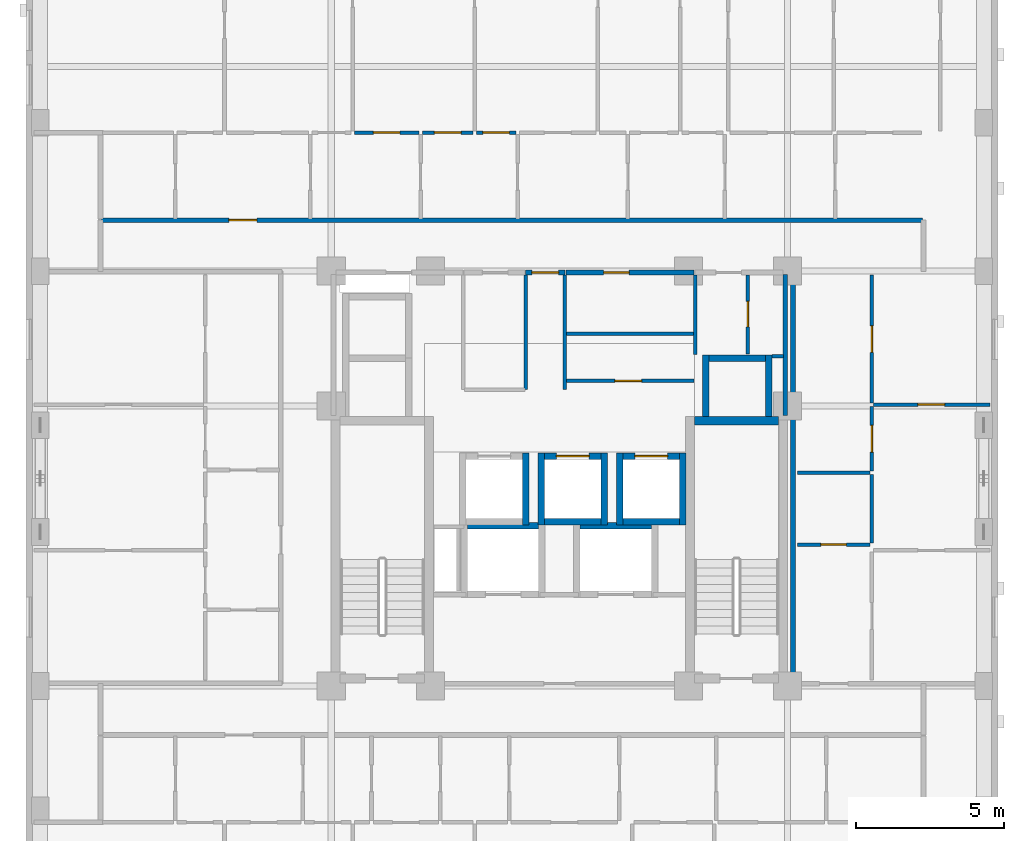
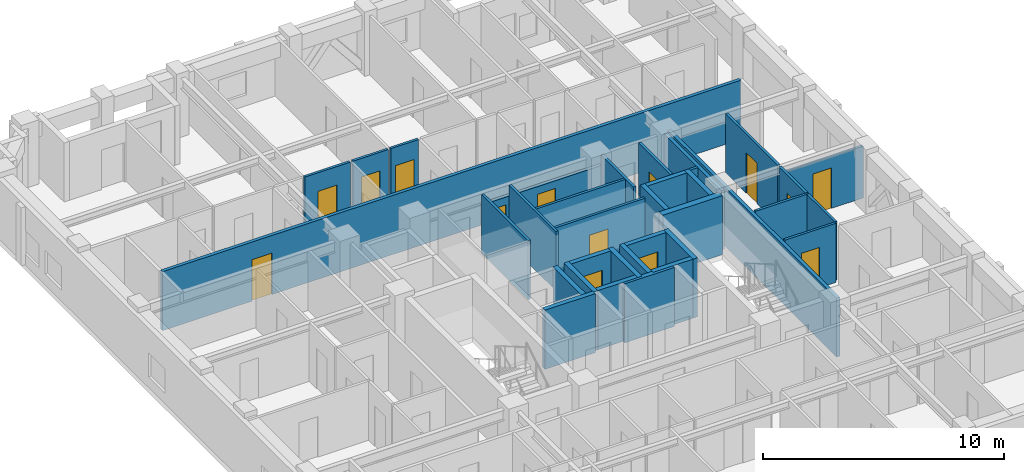
# One storey, part 6 of 11: 36 walls, 14 doors, 14 openings.
"""IFC4 building model written with IfcOpenShell, lengths in metres."""

from ifc_helpers import new_model, si_unit, derived_unit, direction, frame, frame_2d, origin, place, context, subcontext, project, spatial, rectangle, extrude, material, layer, layer_set, type_object, element, fill, save


model = new_model("IFC4")

# Units and contexts
model_context = context("Model", 3, precision=1e-05, world=origin(), true_north=direction((0.0, 1.0)))
body_context = subcontext(model_context, "Body", "Model", "MODEL_VIEW")
ifc_project = project(units=[si_unit("LENGTHUNIT", "METRE"), si_unit("AREAUNIT", "SQUARE_METRE"), si_unit("VOLUMEUNIT", "CUBIC_METRE"), si_unit("PLANEANGLEUNIT", "RADIAN"), si_unit("MASSUNIT", "GRAM", prefix="KILO"), derived_unit("THERMALTRANSMITTANCEUNIT", [(si_unit("MASSUNIT", "GRAM", prefix="KILO"), 1), (si_unit("TIMEUNIT", "SECOND"), -3), (si_unit("THERMODYNAMICTEMPERATUREUNIT", "KELVIN"), -1)])], contexts=[model_context])

# Site, building, storey
site_placement = place(None, origin())
site = spatial("IfcSite", under=ifc_project, at=site_placement, CompositionType="ELEMENT")
building_placement = place(site_placement, origin())
building = spatial("IfcBuilding", under=site, at=building_placement, Name="Korrvale Station Residences", CompositionType="ELEMENT")
storey_placement = place(building_placement, frame((0.0, 0.0, 153.64990234375)))
storey = spatial("IfcBuildingStorey", under=building, at=storey_placement, Name="L44", CompositionType="ELEMENT", Elevation=153.64990234375)

# Walls
ifc_material_1 = material(Name="Concrete C60/75", Category="concrete")
ifc_layer_1 = layer(ifc_material_1, 0.300048828125, Name="Concrete C60/75")
ifc_layer_set_1 = layer_set([ifc_layer_1], Name="Concrete C60/75")
wall_type_1 = type_object("IfcWallType", Name="WAL-CORE-300-C60", PredefinedType="SHEAR", material=ifc_layer_set_1)
wall_1_placement = place(storey_placement, frame((30.050048828125, 23.949951171875, 0.0), z_axis=(0.0, 0.0, 1.0), x_axis=(1.0, 0.0, 0.0)))
element("IfcWall", 1, at=wall_1_placement, inside=storey, type_object=wall_type_1, Name="L44 ST-2 Core Shear Wall North", PredefinedType="SHEAR", context=body_context, shape_type="SweptSolid", body=[
    extrude(rectangle(XDim=2.849853515625, YDim=0.300048828125, at=frame_2d((1.4248046875, 0.0))), origin(), (0.0, 0.0, 1.0), 2.989990234375),
])
ifc_material_2 = material(Name="Acoustic steel-stud gypsum board partition", Category="steel")
ifc_layer_2 = layer(ifc_material_2, 0.1201171875, Name="Acoustic steel-stud gypsum board partition")
ifc_layer_set_2 = layer_set([ifc_layer_2], Name="Acoustic steel-stud gypsum board partition")
wall_type_2 = type_object("IfcWallType", Name="WAL-PART-125", PredefinedType="PARTITIONING", material=ifc_layer_set_2)
for number, where, z_axis, x_axis, name in (
    (2, (24.360107421875, 25.0, 0.0), (0.0, 0.0, 1.0), (0.0, 1.0, 0.0), "L44 Core Partition CW-PSG-W"),
    (3, (25.679931640625, 25.0, 0.0), (0.0, 0.0, 1.0), (0.0, 1.0, 0.0), "L44 Core Partition CW-PSG-E"),
):
    element("IfcWall", number, at=place(storey_placement, frame(where, z_axis=z_axis, x_axis=x_axis)), inside=storey, type_object=wall_type_2, Name=name, PredefinedType="PARTITIONING", context=body_context, shape_type="SweptSolid", body=[
        extrude(rectangle(XDim=3.8701171875, YDim=0.1201171875, at=frame_2d((1.93505859375, 0.0))), origin(), (0.0, 0.0, 1.0), 2.989990234375),
    ])
wall_2_placement = place(storey_placement, frame((30.080078125, 26.179931640625, 0.0), z_axis=(0.0, 0.0, 1.0), x_axis=(0.0, 1.0, 0.0)))
element("IfcWall", 4, at=wall_2_placement, inside=storey, type_object=wall_type_2, Name="L44 Core Partition CW-CS-W", PredefinedType="PARTITIONING", context=body_context, shape_type="SweptSolid", body=[
    extrude(rectangle(XDim=2.68017578125, YDim=0.1201171875, at=frame_2d((1.340087890625, 0.0))), origin(), (0.0, 0.0, 1.0), 2.989990234375),
])
wall_3_placement = place(storey_placement, frame((32.679931640625, 26.1201171875, 0.0), z_axis=(0.0, 0.0, 1.0), x_axis=(1.0, 0.0, 0.0)))
element("IfcWall", 5, at=wall_3_placement, inside=storey, type_object=wall_type_2, Name="L44 Core Partition CW-CS-S", PredefinedType="PARTITIONING", context=body_context, shape_type="SweptSolid", body=[
    extrude(rectangle(XDim=0.380126953125, YDim=0.1201171875, at=frame_2d((0.18994140625, 0.0))), origin(), (0.0, 0.0, 1.0), 2.989990234375),
])

# Wall, opening, door
wall_4_placement = place(storey_placement, frame((31.860107421875, 26.199951171875, 0.0), z_axis=(0.0, 0.0, 1.0), x_axis=(0.0, 1.0, 0.0)))
wall_4 = element("IfcWall", 6, at=wall_4_placement, inside=storey, type_object=wall_type_2, Name="L44 Core Partition CW-CS-MID", PredefinedType="PARTITIONING", context=body_context, shape_type="SweptSolid", body=[
    extrude(rectangle(XDim=2.66015625, YDim=0.1201171875, at=frame_2d((1.330078125, 0.0))), origin(), (0.0, 0.0, 1.0), 2.989990234375),
])
opening_1_placement = place(wall_4_placement, frame((0.919921875, 0.0, 0.0)))
opening_1 = element("IfcOpeningElement", 7, at=opening_1_placement, cuts=wall_4, Name="Opening DB-860", PredefinedType="OPENING", context=body_context, shape_type="SweptSolid", body=[
    extrude(rectangle(XDim=0.860107421875, YDim=2.050048828125, at=frame_2d((0.43017578125, 1.02490234375))), frame((0.0, 0.070068359375, 0.0), z_axis=(0.0, -1.0, 0.0), x_axis=(1.0, 0.0, 0.0)), (0.0, 0.0, 1.0), 0.14013671875),
])
ifc_material_3 = material(Name="Moisture-resistant solid-core bathroom door", Category="timber")
door_type_1 = type_object("IfcDoorType", Name="DR-BATH-860", OperationType="NOTDEFINED", PredefinedType="DOOR", material=ifc_material_3)
door_1_placement = place(opening_1_placement, origin())
door_1 = element("IfcDoor", 8, at=door_1_placement, inside=storey, type_object=door_type_1, Name="L44 Metering Inner Door", OperationType="SINGLE_SWING_RIGHT", OverallHeight=2.050048828125, OverallWidth=0.860107421875, PredefinedType="DOOR", context=body_context, shape_type="SweptSolid", body=[
    extrude(rectangle(XDim=0.860107421875, YDim=2.050048828125, at=frame_2d((0.43017578125, 1.02490234375))), frame((0.0, 0.02490234375, 0.0), z_axis=(0.0, -1.0, 0.0), x_axis=(1.0, 0.0, 0.0)), (0.0, 0.0, 1.0), 0.050048828125),
])
fill(opening_1, door_1)

# Wall
wall_5_placement = place(storey_placement, frame((25.719970703125, 26.8798828125, 0.0), z_axis=(0.0, 0.0, 1.0), x_axis=(1.0, 0.0, 0.0)))
element("IfcWall", 9, at=wall_5_placement, inside=storey, type_object=wall_type_2, Name="L44 Core Partition CW-FPLE-H", PredefinedType="PARTITIONING", context=body_context, shape_type="SweptSolid", body=[
    extrude(rectangle(XDim=4.320068359375, YDim=0.1201171875, at=frame_2d((2.16015625, 0.0))), origin(), (0.0, 0.0, 1.0), 2.989990234375),
])

# Wall, opening, door
wall_6_placement = place(storey_placement, frame((25.719970703125, 25.300048828125, 0.0), z_axis=(0.0, 0.0, 1.0), x_axis=(1.0, 0.0, 0.0)))
wall_6 = element("IfcWall", 10, at=wall_6_placement, inside=storey, type_object=wall_type_2, Name="L44 Core Partition CW-FPLE-S", PredefinedType="PARTITIONING", context=body_context, shape_type="SweptSolid", body=[
    extrude(rectangle(XDim=4.320068359375, YDim=0.1201171875, at=frame_2d((2.16015625, 0.0))), origin(), (0.0, 0.0, 1.0), 2.989990234375),
])
opening_2_placement = place(wall_6_placement, frame((1.64990234375, 0.0, 0.0)))
opening_2 = element("IfcOpeningElement", 11, at=opening_2_placement, cuts=wall_6, Name="Opening DI-900", PredefinedType="OPENING", context=body_context, shape_type="SweptSolid", body=[
    extrude(rectangle(XDim=0.89990234375, YDim=2.050048828125, at=frame_2d((0.449951171875, 1.02490234375))), frame((0.0, 0.070068359375, 0.0), z_axis=(0.0, -1.0, 0.0), x_axis=(1.0, 0.0, 0.0)), (0.0, 0.0, 1.0), 0.14013671875),
])
ifc_material_4 = material(Name="Painted solid-core timber interior room door", Category="wood")
door_type_2 = type_object("IfcDoorType", Name="DR-INT-900", OperationType="NOTDEFINED", PredefinedType="DOOR", material=ifc_material_4)
door_2_placement = place(opening_2_placement, origin())
door_2 = element("IfcDoor", 12, at=door_2_placement, inside=storey, type_object=door_type_2, Name="L44 Housekeeping Linen Door", OperationType="SINGLE_SWING_LEFT", OverallHeight=2.050048828125, OverallWidth=0.89990234375, PredefinedType="DOOR", context=body_context, shape_type="SweptSolid", body=[
    extrude(rectangle(XDim=0.89990234375, YDim=2.050048828125, at=frame_2d((0.449951171875, 1.02490234375))), frame((0.0, 0.02490234375, 0.0), z_axis=(0.0, -1.0, 0.0), x_axis=(1.0, 0.0, 0.0)), (0.0, 0.0, 1.0), 0.050048828125),
])
fill(opening_2, door_2)

wall_7_placement = place(storey_placement, frame((18.580078125, 33.669921875, 0.0), z_axis=(0.0, 0.0, 1.0), x_axis=(1.0, 0.0, 0.0)))
wall_7 = element("IfcWall", 13, at=wall_7_placement, inside=storey, type_object=wall_type_2, Name="L44 Suite Partition U02-H210", PredefinedType="PARTITIONING", context=body_context, shape_type="SweptSolid", body=[
    extrude(rectangle(XDim=2.179931640625, YDim=0.1201171875, at=frame_2d((1.08984375, 0.0))), origin(), (0.0, 0.0, 1.0), 2.989990234375),
])
opening_3_placement = place(wall_7_placement, frame((0.639892578125, 0.0, 0.0)))
opening_3 = element("IfcOpeningElement", 14, at=opening_3_placement, cuts=wall_7, Name="Opening DI-900", PredefinedType="OPENING", context=body_context, shape_type="SweptSolid", body=[
    extrude(rectangle(XDim=0.89990234375, YDim=2.050048828125, at=frame_2d((0.449951171875, 1.02490234375))), frame((0.0, 0.070068359375, 0.0), z_axis=(0.0, -1.0, 0.0), x_axis=(1.0, 0.0, 0.0)), (0.0, 0.0, 1.0), 0.14013671875),
])
door_3_placement = place(opening_3_placement, origin())
door_3 = element("IfcDoor", 15, at=door_3_placement, inside=storey, type_object=door_type_2, Name="L44 Apartment 3BR L44-U02 Utility and Laundry Room Door", OperationType="SINGLE_SWING_LEFT", OverallHeight=2.050048828125, OverallWidth=0.89990234375, PredefinedType="DOOR", context=body_context, shape_type="SweptSolid", body=[
    extrude(rectangle(XDim=0.89990234375, YDim=2.050048828125, at=frame_2d((0.449951171875, 1.02490234375))), frame((0.0, 0.02490234375, 0.0), z_axis=(0.0, -1.0, 0.0), x_axis=(1.0, 0.0, 0.0)), (0.0, 0.0, 1.0), 0.050048828125),
])
fill(opening_3, door_3)

wall_8_placement = place(storey_placement, frame((20.8798828125, 33.669921875, 0.0), z_axis=(0.0, 0.0, 1.0), x_axis=(1.0, 0.0, 0.0)))
wall_8 = element("IfcWall", 16, at=wall_8_placement, inside=storey, type_object=wall_type_2, Name="L44 Suite Partition U02-H310", PredefinedType="PARTITIONING", context=body_context, shape_type="SweptSolid", body=[
    extrude(rectangle(XDim=1.7001953125, YDim=0.1201171875, at=frame_2d((0.85009765625, 0.0))), origin(), (0.0, 0.0, 1.0), 2.989990234375),
])
opening_4_placement = place(wall_8_placement, frame((0.39990234375, 0.0, 0.0)))
opening_4 = element("IfcOpeningElement", 17, at=opening_4_placement, cuts=wall_8, Name="Opening DI-900", PredefinedType="OPENING", context=body_context, shape_type="SweptSolid", body=[
    extrude(rectangle(XDim=0.89990234375, YDim=2.050048828125, at=frame_2d((0.449951171875, 1.02490234375))), frame((0.0, 0.070068359375, 0.0), z_axis=(0.0, -1.0, 0.0), x_axis=(1.0, 0.0, 0.0)), (0.0, 0.0, 1.0), 0.14013671875),
])
door_4_placement = place(opening_4_placement, origin())
door_4 = element("IfcDoor", 18, at=door_4_placement, inside=storey, type_object=door_type_2, Name="L44 Apartment 3BR L44-U02 Storage Closet 2 Door", OperationType="SINGLE_SWING_LEFT", OverallHeight=2.050048828125, OverallWidth=0.89990234375, PredefinedType="DOOR", context=body_context, shape_type="SweptSolid", body=[
    extrude(rectangle(XDim=0.89990234375, YDim=2.050048828125, at=frame_2d((0.449951171875, 1.02490234375))), frame((0.0, 0.02490234375, 0.0), z_axis=(0.0, -1.0, 0.0), x_axis=(1.0, 0.0, 0.0)), (0.0, 0.0, 1.0), 0.050048828125),
])
fill(opening_4, door_4)

wall_9_placement = place(storey_placement, frame((22.699951171875, 33.669921875, 0.0), z_axis=(0.0, 0.0, 1.0), x_axis=(1.0, 0.0, 0.0)))
wall_9 = element("IfcWall", 19, at=wall_9_placement, inside=storey, type_object=wall_type_2, Name="L44 Suite Partition U02-H311", PredefinedType="PARTITIONING", context=body_context, shape_type="SweptSolid", body=[
    extrude(rectangle(XDim=1.330078125, YDim=0.1201171875, at=frame_2d((0.6650390625, 0.0))), origin(), (0.0, 0.0, 1.0), 2.989990234375),
])
opening_5_placement = place(wall_9_placement, frame((0.215087890625, 0.0, 0.0)))
opening_5 = element("IfcOpeningElement", 20, at=opening_5_placement, cuts=wall_9, Name="Opening DI-900", PredefinedType="OPENING", context=body_context, shape_type="SweptSolid", body=[
    extrude(rectangle(XDim=0.89990234375, YDim=2.050048828125, at=frame_2d((0.449951171875, 1.02490234375))), frame((0.0, 0.070068359375, 0.0), z_axis=(0.0, -1.0, 0.0), x_axis=(1.0, 0.0, 0.0)), (0.0, 0.0, 1.0), 0.14013671875),
])
door_5_placement = place(opening_5_placement, origin())
door_5 = element("IfcDoor", 21, at=door_5_placement, inside=storey, type_object=door_type_2, Name="L44 Apartment 3BR L44-U02 Storage Closet 2 Door", OperationType="SINGLE_SWING_RIGHT", OverallHeight=2.050048828125, OverallWidth=0.89990234375, PredefinedType="DOOR", context=body_context, shape_type="SweptSolid", body=[
    extrude(rectangle(XDim=0.89990234375, YDim=2.050048828125, at=frame_2d((0.449951171875, 1.02490234375))), frame((0.0, 0.02490234375, 0.0), z_axis=(0.0, -1.0, 0.0), x_axis=(1.0, 0.0, 0.0)), (0.0, 0.0, 1.0), 0.050048828125),
])
fill(opening_5, door_5)

# Wall
wall_10_placement = place(storey_placement, frame((33.530029296875, 22.18994140625, 0.0), z_axis=(0.0, 0.0, 1.0), x_axis=(1.0, 0.0, 0.0)))
element("IfcWall", 22, at=wall_10_placement, inside=storey, type_object=wall_type_2, Name="L44 Suite Partition U04-H01", PredefinedType="PARTITIONING", context=body_context, shape_type="SweptSolid", body=[
    extrude(rectangle(XDim=2.449951171875, YDim=0.1201171875, at=frame_2d((1.22509765625, 0.0))), origin(), (0.0, 0.0, 1.0), 2.989990234375),
])

# Wall, opening, door
wall_11_placement = place(storey_placement, frame((36.0400390625, 22.25, 0.0), z_axis=(0.0, 0.0, 1.0), x_axis=(0.0, 1.0, 0.0)))
wall_11 = element("IfcWall", 23, at=wall_11_placement, inside=storey, type_object=wall_type_2, Name="L44 Suite Partition U04-V04", PredefinedType="PARTITIONING", context=body_context, shape_type="SweptSolid", body=[
    extrude(rectangle(XDim=2.181884765625, YDim=0.1201171875, at=frame_2d((1.0908203125, 0.0))), origin(), (0.0, 0.0, 1.0), 2.989990234375),
])
opening_6_placement = place(wall_11_placement, frame((0.64111328125, 0.0, 0.0)))
opening_6 = element("IfcOpeningElement", 24, at=opening_6_placement, cuts=wall_11, Name="Opening DI-900", PredefinedType="OPENING", context=body_context, shape_type="SweptSolid", body=[
    extrude(rectangle(XDim=0.89990234375, YDim=2.050048828125, at=frame_2d((0.449951171875, 1.02490234375))), frame((0.0, 0.070068359375, 0.0), z_axis=(0.0, -1.0, 0.0), x_axis=(1.0, 0.0, 0.0)), (0.0, 0.0, 1.0), 0.14013671875),
])
door_6_placement = place(opening_6_placement, origin())
door_6 = element("IfcDoor", 25, at=door_6_placement, inside=storey, type_object=door_type_2, Name="L44 Apartment 2BR L44-U04 Wardrobe Storage Room Door", OperationType="SINGLE_SWING_RIGHT", OverallHeight=2.050048828125, OverallWidth=0.89990234375, PredefinedType="DOOR", context=body_context, shape_type="SweptSolid", body=[
    extrude(rectangle(XDim=0.89990234375, YDim=2.050048828125, at=frame_2d((0.449951171875, 1.02490234375))), frame((0.0, 0.02490234375, 0.0), z_axis=(0.0, -1.0, 0.0), x_axis=(1.0, 0.0, 0.0)), (0.0, 0.0, 1.0), 0.050048828125),
])
fill(opening_6, door_6)

wall_12_placement = place(storey_placement, frame((36.0400390625, 24.552001953125, 0.0), z_axis=(0.0, 0.0, 1.0), x_axis=(0.0, 1.0, 0.0)))
wall_12 = element("IfcWall", 26, at=wall_12_placement, inside=storey, type_object=wall_type_2, Name="L44 Suite Partition U04-V05", PredefinedType="PARTITIONING", context=body_context, shape_type="SweptSolid", body=[
    extrude(rectangle(XDim=4.30810546875, YDim=0.1201171875, at=frame_2d((2.154052734375, 0.0))), origin(), (0.0, 0.0, 1.0), 2.989990234375),
])
opening_7_placement = place(wall_12_placement, frame((1.7041015625, 0.0, 0.0)))
opening_7 = element("IfcOpeningElement", 27, at=opening_7_placement, cuts=wall_12, Name="Opening DI-900", PredefinedType="OPENING", context=body_context, shape_type="SweptSolid", body=[
    extrude(rectangle(XDim=0.89990234375, YDim=2.050048828125, at=frame_2d((0.449951171875, 1.02490234375))), frame((0.0, 0.070068359375, 0.0), z_axis=(0.0, -1.0, 0.0), x_axis=(1.0, 0.0, 0.0)), (0.0, 0.0, 1.0), 0.14013671875),
])
door_7_placement = place(opening_7_placement, origin())
door_7 = element("IfcDoor", 28, at=door_7_placement, inside=storey, type_object=door_type_2, Name="L44 Apartment 2BR L44-U04 Wardrobe Storage Room Door", OperationType="SINGLE_SWING_LEFT", OverallHeight=2.050048828125, OverallWidth=0.89990234375, PredefinedType="DOOR", context=body_context, shape_type="SweptSolid", body=[
    extrude(rectangle(XDim=0.89990234375, YDim=2.050048828125, at=frame_2d((0.449951171875, 1.02490234375))), frame((0.0, 0.02490234375, 0.0), z_axis=(0.0, -1.0, 0.0), x_axis=(1.0, 0.0, 0.0)), (0.0, 0.0, 1.0), 0.050048828125),
])
fill(opening_7, door_7)

wall_13_placement = place(storey_placement, frame((33.530029296875, 19.77001953125, 0.0), z_axis=(0.0, 0.0, 1.0), x_axis=(1.0, 0.0, 0.0)))
wall_13 = element("IfcWall", 29, at=wall_13_placement, inside=storey, type_object=wall_type_2, Name="L44 Suite Partition U04-H12", PredefinedType="PARTITIONING", context=body_context, shape_type="SweptSolid", body=[
    extrude(rectangle(XDim=2.449951171875, YDim=0.1201171875, at=frame_2d((1.22509765625, 0.0))), origin(), (0.0, 0.0, 1.0), 2.989990234375),
])
opening_8_placement = place(wall_13_placement, frame((0.794921875, 0.0, 0.0)))
opening_8 = element("IfcOpeningElement", 30, at=opening_8_placement, cuts=wall_13, Name="Opening DB-860", PredefinedType="OPENING", context=body_context, shape_type="SweptSolid", body=[
    extrude(rectangle(XDim=0.860107421875, YDim=2.050048828125, at=frame_2d((0.43017578125, 1.02490234375))), frame((0.0, 0.070068359375, 0.0), z_axis=(0.0, -1.0, 0.0), x_axis=(1.0, 0.0, 0.0)), (0.0, 0.0, 1.0), 0.14013671875),
])
door_8_placement = place(opening_8_placement, origin())
door_8 = element("IfcDoor", 31, at=door_8_placement, inside=storey, type_object=door_type_1, Name="L44 Apartment 2BR L44-U04 Bathroom Door", OperationType="SINGLE_SWING_RIGHT", OverallHeight=2.050048828125, OverallWidth=0.860107421875, PredefinedType="DOOR", context=body_context, shape_type="SweptSolid", body=[
    extrude(rectangle(XDim=0.860107421875, YDim=2.050048828125, at=frame_2d((0.43017578125, 1.02490234375))), frame((0.0, 0.02490234375, 0.0), z_axis=(0.0, -1.0, 0.0), x_axis=(1.0, 0.0, 0.0)), (0.0, 0.0, 1.0), 0.050048828125),
])
fill(opening_8, door_8)

# Wall
wall_14_placement = place(storey_placement, frame((36.0400390625, 19.830078125, 0.0), z_axis=(0.0, 0.0, 1.0), x_axis=(0.0, 1.0, 0.0)))
element("IfcWall", 32, at=wall_14_placement, inside=storey, type_object=wall_type_2, Name="L44 Suite Partition U04-V14", PredefinedType="PARTITIONING", context=body_context, shape_type="SweptSolid", body=[
    extrude(rectangle(XDim=2.2998046875, YDim=0.1201171875, at=frame_2d((1.14990234375, 0.0))), origin(), (0.0, 0.0, 1.0), 2.989990234375),
])

# Wall, opening, door
wall_15_placement = place(storey_placement, frame((36.10009765625, 24.491943359375, 0.0), z_axis=(0.0, 0.0, 1.0), x_axis=(1.0, 0.0, 0.0)))
wall_15 = element("IfcWall", 33, at=wall_15_placement, inside=storey, type_object=wall_type_2, Name="L44 Suite Partition U04-H45", PredefinedType="PARTITIONING", context=body_context, shape_type="SweptSolid", body=[
    extrude(rectangle(XDim=3.919921875, YDim=0.1201171875, at=frame_2d((1.9599609375, 0.0))), origin(), (0.0, 0.0, 1.0), 2.62109375),
])
opening_9_placement = place(wall_15_placement, frame((1.4951171875, 0.0, 0.0)))
opening_9 = element("IfcOpeningElement", 34, at=opening_9_placement, cuts=wall_15, Name="Opening DI-900", PredefinedType="OPENING", context=body_context, shape_type="SweptSolid", body=[
    extrude(rectangle(XDim=0.89990234375, YDim=2.050048828125, at=frame_2d((0.449951171875, 1.02490234375))), frame((0.0, 0.070068359375, 0.0), z_axis=(0.0, -1.0, 0.0), x_axis=(1.0, 0.0, 0.0)), (0.0, 0.0, 1.0), 0.14013671875),
])
door_9_placement = place(opening_9_placement, origin())
door_9 = element("IfcDoor", 35, at=door_9_placement, inside=storey, type_object=door_type_2, Name="L44 Apartment 2BR L44-U04 Living and Dining Room Door", OperationType="SINGLE_SWING_LEFT", OverallHeight=2.050048828125, OverallWidth=0.89990234375, PredefinedType="DOOR", context=body_context, shape_type="SweptSolid", body=[
    extrude(rectangle(XDim=0.89990234375, YDim=2.050048828125, at=frame_2d((0.449951171875, 1.02490234375))), frame((0.0, 0.02490234375, 0.0), z_axis=(0.0, -1.0, 0.0), x_axis=(1.0, 0.0, 0.0)), (0.0, 0.0, 1.0), 0.050048828125),
])
fill(opening_9, door_9)

# Wall
ifc_material_5 = material(Name="Fire-rated twin-stud gypsum and mineral wool shaftwall assembly", Category="gypsum")
ifc_layer_3 = layer(ifc_material_5, 0.159912109375, Name="Fire-rated twin-stud gypsum and mineral wool shaftwall assembly")
ifc_layer_set_3 = layer_set([ifc_layer_3], Name="Fire-rated twin-stud gypsum and mineral wool shaftwall assembly")
wall_type_3 = type_object("IfcWallType", Name="WAL-PART-200", PredefinedType="PARTITIONING", material=ifc_layer_set_3)
wall_16_placement = place(storey_placement, frame((33.1201171875, 24.1201171875, 0.0), z_axis=(0.0, 0.0, 1.0), x_axis=(0.0, 1.0, 0.0)))
element("IfcWall", 36, at=wall_16_placement, inside=storey, type_object=wall_type_3, Name="L44 Core Partition CW-E-N", PredefinedType="PARTITIONING", context=body_context, shape_type="SweptSolid", body=[
    extrude(rectangle(XDim=4.759765625, YDim=0.159912109375, at=frame_2d((2.3798828125, 0.0))), origin(), (0.0, 0.0, 1.0), 2.989990234375),
])

# Wall, opening, door
wall_17_placement = place(storey_placement, frame((24.360107421875, 28.949951171875, 0.0), z_axis=(0.0, 0.0, 1.0), x_axis=(1.0, 0.0, 0.0)))
wall_17 = element("IfcWall", 37, at=wall_17_placement, inside=storey, type_object=wall_type_3, Name="L44 Core Partition CW-LLOB-N", PredefinedType="PARTITIONING", context=body_context, shape_type="SweptSolid", body=[
    extrude(rectangle(XDim=1.31982421875, YDim=0.159912109375, at=frame_2d((0.659912109375, 0.0))), origin(), (0.0, 0.0, 1.0), 2.442138671875),
])
opening_10_placement = place(wall_17_placement, frame((0.2099609375, 0.0, 0.0)))
opening_10 = element("IfcOpeningElement", 38, at=opening_10_placement, cuts=wall_17, Name="Opening DI-900", PredefinedType="OPENING", context=body_context, shape_type="SweptSolid", body=[
    extrude(rectangle(XDim=0.89990234375, YDim=2.050048828125, at=frame_2d((0.449951171875, 1.02490234375))), frame((0.0, 0.08984375, 0.0), z_axis=(0.0, -1.0, 0.0), x_axis=(1.0, 0.0, 0.0)), (0.0, 0.0, 1.0), 0.179931640625),
])
door_10_placement = place(opening_10_placement, origin())
door_10 = element("IfcDoor", 39, at=door_10_placement, inside=storey, type_object=door_type_2, Name="L44 Central Hallway North Passage Door", OperationType="SINGLE_SWING_RIGHT", OverallHeight=2.050048828125, OverallWidth=0.89990234375, PredefinedType="DOOR", context=body_context, shape_type="SweptSolid", body=[
    extrude(rectangle(XDim=0.89990234375, YDim=2.050048828125, at=frame_2d((0.449951171875, 1.02490234375))), frame((0.0, 0.02490234375, 0.0), z_axis=(0.0, -1.0, 0.0), x_axis=(1.0, 0.0, 0.0)), (0.0, 0.0, 1.0), 0.050048828125),
])
fill(opening_10, door_10)

wall_18_placement = place(storey_placement, frame((25.719970703125, 28.949951171875, 0.0), z_axis=(0.0, 0.0, 1.0), x_axis=(1.0, 0.0, 0.0)))
wall_18 = element("IfcWall", 40, at=wall_18_placement, inside=storey, type_object=wall_type_3, Name="L44 Core Partition CW-FPLE-N", PredefinedType="PARTITIONING", context=body_context, shape_type="SweptSolid", body=[
    extrude(rectangle(XDim=4.320068359375, YDim=0.159912109375, at=frame_2d((2.16015625, 0.0))), origin(), (0.0, 0.0, 1.0), 2.442138671875),
])
opening_11_placement = place(wall_18_placement, frame((1.27001953125, 0.0, 0.0)))
opening_11 = element("IfcOpeningElement", 41, at=opening_11_placement, cuts=wall_18, Name="Opening DB-860", PredefinedType="OPENING", context=body_context, shape_type="SweptSolid", body=[
    extrude(rectangle(XDim=0.860107421875, YDim=2.050048828125, at=frame_2d((0.43017578125, 1.02490234375))), frame((0.0, 0.08984375, 0.0), z_axis=(0.0, -1.0, 0.0), x_axis=(1.0, 0.0, 0.0)), (0.0, 0.0, 1.0), 0.179931640625),
])
door_11_placement = place(opening_11_placement, origin())
door_11 = element("IfcDoor", 42, at=door_11_placement, inside=storey, type_object=door_type_1, Name="L44 Luggage Store Door", OperationType="SINGLE_SWING_RIGHT", OverallHeight=2.050048828125, OverallWidth=0.860107421875, PredefinedType="DOOR", context=body_context, shape_type="SweptSolid", body=[
    extrude(rectangle(XDim=0.860107421875, YDim=2.050048828125, at=frame_2d((0.43017578125, 1.02490234375))), frame((0.0, 0.02490234375, 0.0), z_axis=(0.0, -1.0, 0.0), x_axis=(1.0, 0.0, 0.0)), (0.0, 0.0, 1.0), 0.050048828125),
])
fill(opening_11, door_11)

wall_19_placement = place(storey_placement, frame((10.050048828125, 30.719970703125, 0.0), z_axis=(0.0, 0.0, 1.0), x_axis=(1.0, 0.0, 0.0)))
wall_19 = element("IfcWall", 43, at=wall_19_placement, inside=storey, type_object=wall_type_3, Name="L44 Rated Corridor Wall N", PredefinedType="PARTITIONING", context=body_context, shape_type="SweptSolid", body=[
    extrude(rectangle(XDim=27.699951171875, YDim=0.159912109375, at=frame_2d((13.85009765625, 0.0))), origin(), (0.0, 0.0, 1.0), 2.989990234375),
])
opening_12_placement = place(wall_19_placement, frame((4.294921875, 0.0, 0.0)))
opening_12 = element("IfcOpeningElement", 44, at=opening_12_placement, cuts=wall_19, Name="Opening UD-950", PredefinedType="OPENING", context=body_context, shape_type="SweptSolid", body=[
    extrude(rectangle(XDim=0.949951171875, YDim=2.10009765625, at=frame_2d((0.47509765625, 1.050048828125))), frame((0.0, 0.08984375, 0.0), z_axis=(0.0, -1.0, 0.0), x_axis=(1.0, 0.0, 0.0)), (0.0, 0.0, 1.0), 0.179931640625),
])
ifc_material_6 = material(Name="Solid-core acoustic oak apartment entrance door", Category="timber")
door_type_3 = type_object("IfcDoorType", Name="DR-UNIT-950", OperationType="NOTDEFINED", PredefinedType="DOOR", material=ifc_material_6)
door_12_placement = place(opening_12_placement, origin())
door_12 = element("IfcDoor", 45, at=door_12_placement, inside=storey, type_object=door_type_3, Name="L44 Apartment L44-U02 Entrance Door", OperationType="SINGLE_SWING_LEFT", OverallHeight=2.10009765625, OverallWidth=0.949951171875, PredefinedType="DOOR", context=body_context, shape_type="SweptSolid", body=[
    extrude(rectangle(XDim=0.949951171875, YDim=2.10009765625, at=frame_2d((0.47509765625, 1.050048828125))), frame((0.0, 0.02490234375, 0.0), z_axis=(0.0, -1.0, 0.0), x_axis=(1.0, 0.0, 0.0)), (0.0, 0.0, 1.0), 0.050048828125),
])
fill(opening_12, door_12)

# Walls
wall_20_placement = place(storey_placement, frame((33.3798828125, 15.02001953125, 0.0), z_axis=(0.0, 0.0, 1.0), x_axis=(0.0, 1.0, 0.0)))
element("IfcWall", 46, at=wall_20_placement, inside=storey, type_object=wall_type_3, Name="L44 Rated Corridor Wall E", PredefinedType="PARTITIONING", context=body_context, shape_type="SweptSolid", body=[
    extrude(rectangle(XDim=13.97998046875, YDim=0.159912109375, at=frame_2d((6.989990234375, 0.0))), origin(), (0.0, 0.0, 1.0), 2.989990234375),
])
ifc_layer_4 = layer(ifc_material_1, 0.219970703125, Name="Concrete C60/75")
ifc_layer_set_4 = layer_set([ifc_layer_4], Name="Concrete C60/75")
wall_type_4 = type_object("IfcWallType", Name="WAL-SHAFT-220-C60", PredefinedType="SHEAR", material=ifc_layer_set_4)
wall_21_placement = place(storey_placement, frame((24.360107421875, 20.429931640625, 0.0), z_axis=(0.0, 0.0, 1.0), x_axis=(0.0, 1.0, 0.0)))
element("IfcWall", 47, at=wall_21_placement, inside=storey, type_object=wall_type_4, Name="L44 Elevator PM-1 Hoistway Wall East", PredefinedType="SHEAR", context=body_context, shape_type="SweptSolid", body=[
    extrude(rectangle(XDim=2.440185546875, YDim=0.219970703125, at=frame_2d((1.22021484375, 0.0))), origin(), (0.0, 0.0, 1.0), 2.989990234375),
])
wall_22_placement = place(storey_placement, frame((25.0, 20.5400390625, 0.0), z_axis=(0.0, 0.0, 1.0), x_axis=(1.0, 0.0, 0.0)))
element("IfcWall", 48, at=wall_22_placement, inside=storey, type_object=wall_type_4, Name="L44 Elevator PM-2 Hoistway Wall South", PredefinedType="SHEAR", context=body_context, shape_type="SweptSolid", body=[
    extrude(rectangle(XDim=1.89990234375, YDim=0.219970703125, at=frame_2d((0.949951171875, 0.0))), origin(), (0.0, 0.0, 1.0), 2.989990234375),
])

# Wall, opening, door
wall_23_placement = place(storey_placement, frame((25.0, 22.760009765625, 0.0), z_axis=(0.0, 0.0, 1.0), x_axis=(1.0, 0.0, 0.0)))
wall_23 = element("IfcWall", 49, at=wall_23_placement, inside=storey, type_object=wall_type_4, Name="L44 Elevator PM-2 Hoistway Wall North", PredefinedType="SHEAR", context=body_context, shape_type="SweptSolid", body=[
    extrude(rectangle(XDim=1.89990234375, YDim=0.219970703125, at=frame_2d((0.949951171875, 0.0))), origin(), (0.0, 0.0, 1.0), 2.989990234375),
])
opening_13_placement = place(wall_23_placement, frame((0.39990234375, 0.0, 0.0)))
opening_13 = element("IfcOpeningElement", 50, at=opening_13_placement, cuts=wall_23, Name="Opening LD-1100", PredefinedType="OPENING", context=body_context, shape_type="SweptSolid", body=[
    extrude(rectangle(XDim=1.10009765625, YDim=2.14990234375, at=frame_2d((0.550048828125, 1.074951171875))), frame((0.0, 0.1201171875, 0.0), z_axis=(0.0, -1.0, 0.0), x_axis=(1.0, 0.0, 0.0)), (0.0, 0.0, 1.0), 0.239990234375),
])
ifc_material_7 = material(Name="Brushed stainless-steel elevator landing sliding door", Category="steel")
door_type_4 = type_object("IfcDoorType", Name="DR-LIFT-1100", OperationType="SLIDING_TO_LEFT", PredefinedType="DOOR", material=ifc_material_7)
door_13_placement = place(opening_13_placement, origin())
door_13 = element("IfcDoor", 51, at=door_13_placement, inside=storey, type_object=door_type_4, Name="L44 Elevator PM-2 Sliding Landing Door", OperationType="SLIDING_TO_LEFT", OverallHeight=2.14990234375, OverallWidth=1.10009765625, PredefinedType="DOOR", context=body_context, shape_type="SweptSolid", body=[
    extrude(rectangle(XDim=1.10009765625, YDim=2.14990234375, at=frame_2d((0.550048828125, 1.074951171875))), frame((0.0, 0.02490234375, 0.0), z_axis=(0.0, -1.0, 0.0), x_axis=(1.0, 0.0, 0.0)), (0.0, 0.0, 1.0), 0.050048828125),
])
fill(opening_13, door_13)

# Walls
for number, where, z_axis, x_axis, name in (
    (52, (24.889892578125, 20.429931640625, 0.0), (0.0, 0.0, 1.0), (0.0, 1.0, 0.0), "L44 Elevator PM-2 Hoistway Wall West"),
    (53, (27.010009765625, 20.429931640625, 0.0), (0.0, 0.0, 1.0), (0.0, 1.0, 0.0), "L44 Elevator PM-2 Hoistway Wall East"),
):
    element("IfcWall", number, at=place(storey_placement, frame(where, z_axis=z_axis, x_axis=x_axis)), inside=storey, type_object=wall_type_4, Name=name, PredefinedType="SHEAR", context=body_context, shape_type="SweptSolid", body=[
        extrude(rectangle(XDim=2.440185546875, YDim=0.219970703125, at=frame_2d((1.22021484375, 0.0))), origin(), (0.0, 0.0, 1.0), 2.989990234375),
    ])
wall_24_placement = place(storey_placement, frame((27.64990234375, 20.5400390625, 0.0), z_axis=(0.0, 0.0, 1.0), x_axis=(1.0, 0.0, 0.0)))
element("IfcWall", 54, at=wall_24_placement, inside=storey, type_object=wall_type_4, Name="L44 Elevator PM-3 Hoistway Wall South", PredefinedType="SHEAR", context=body_context, shape_type="SweptSolid", body=[
    extrude(rectangle(XDim=1.900146484375, YDim=0.219970703125, at=frame_2d((0.9501953125, 0.0))), origin(), (0.0, 0.0, 1.0), 2.989990234375),
])

# Wall, opening, door
wall_25_placement = place(storey_placement, frame((27.64990234375, 22.760009765625, 0.0), z_axis=(0.0, 0.0, 1.0), x_axis=(1.0, 0.0, 0.0)))
wall_25 = element("IfcWall", 55, at=wall_25_placement, inside=storey, type_object=wall_type_4, Name="L44 Elevator PM-3 Hoistway Wall North", PredefinedType="SHEAR", context=body_context, shape_type="SweptSolid", body=[
    extrude(rectangle(XDim=1.900146484375, YDim=0.219970703125, at=frame_2d((0.9501953125, 0.0))), origin(), (0.0, 0.0, 1.0), 2.989990234375),
])
opening_14_placement = place(wall_25_placement, frame((0.39990234375, 0.0, 0.0)))
opening_14 = element("IfcOpeningElement", 56, at=opening_14_placement, cuts=wall_25, Name="Opening LD-1100", PredefinedType="OPENING", context=body_context, shape_type="SweptSolid", body=[
    extrude(rectangle(XDim=1.10009765625, YDim=2.14990234375, at=frame_2d((0.550048828125, 1.074951171875))), frame((0.0, 0.1201171875, 0.0), z_axis=(0.0, -1.0, 0.0), x_axis=(1.0, 0.0, 0.0)), (0.0, 0.0, 1.0), 0.239990234375),
])
door_14_placement = place(opening_14_placement, origin())
door_14 = element("IfcDoor", 57, at=door_14_placement, inside=storey, type_object=door_type_4, Name="L44 Elevator PM-3 Sliding Landing Door", OperationType="SLIDING_TO_LEFT", OverallHeight=2.14990234375, OverallWidth=1.10009765625, PredefinedType="DOOR", context=body_context, shape_type="SweptSolid", body=[
    extrude(rectangle(XDim=1.10009765625, YDim=2.14990234375, at=frame_2d((0.550048828125, 1.074951171875))), frame((0.0, 0.02490234375, 0.0), z_axis=(0.0, -1.0, 0.0), x_axis=(1.0, 0.0, 0.0)), (0.0, 0.0, 1.0), 0.050048828125),
])
fill(opening_14, door_14)

# Walls
for number, where, z_axis, x_axis, name in (
    (58, (27.5400390625, 20.429931640625, 0.0), (0.0, 0.0, 1.0), (0.0, 1.0, 0.0), "L44 Elevator PM-3 Hoistway Wall West"),
    (59, (29.659912109375, 20.429931640625, 0.0), (0.0, 0.0, 1.0), (0.0, 1.0, 0.0), "L44 Elevator PM-3 Hoistway Wall East"),
):
    element("IfcWall", number, at=place(storey_placement, frame(where, z_axis=z_axis, x_axis=x_axis)), inside=storey, type_object=wall_type_4, Name=name, PredefinedType="SHEAR", context=body_context, shape_type="SweptSolid", body=[
        extrude(rectangle(XDim=2.440185546875, YDim=0.219970703125, at=frame_2d((1.22021484375, 0.0))), origin(), (0.0, 0.0, 1.0), 2.989990234375),
    ])
wall_26_placement = place(storey_placement, frame((30.550048828125, 26.06005859375, 0.0), z_axis=(0.0, 0.0, 1.0), x_axis=(1.0, 0.0, 0.0)))
element("IfcWall", 60, at=wall_26_placement, inside=storey, type_object=wall_type_4, Name="L44 Elevator PH-3 Hoistway Wall North", PredefinedType="SHEAR", context=body_context, shape_type="SweptSolid", body=[
    extrude(rectangle(XDim=1.89990234375, YDim=0.219970703125, at=frame_2d((0.949951171875, 0.0))), origin(), (0.0, 0.0, 1.0), 2.989990234375),
])
for number, where, z_axis, x_axis, name in (
    (61, (30.43994140625, 24.10009765625, 0.0), (0.0, 0.0, 1.0), (0.0, 1.0, 0.0), "L44 Elevator PH-3 Hoistway Wall West"),
    (62, (32.56005859375, 24.10009765625, 0.0), (0.0, 0.0, 1.0), (0.0, 1.0, 0.0), "L44 Elevator PH-3 Hoistway Wall East"),
):
    element("IfcWall", number, at=place(storey_placement, frame(where, z_axis=z_axis, x_axis=x_axis)), inside=storey, type_object=wall_type_4, Name=name, PredefinedType="SHEAR", context=body_context, shape_type="SweptSolid", body=[
        extrude(rectangle(XDim=2.06982421875, YDim=0.219970703125, at=frame_2d((1.034912109375, 0.0))), origin(), (0.0, 0.0, 1.0), 2.989990234375),
    ])
for number, where, z_axis, x_axis, name in (
    (63, (22.39990234375, 20.409912109375, 0.0), (0.0, 0.0, 1.0), (1.0, 0.0, 0.0), "L44 Elevator FFL-1 Hoistway Wall North"),
    (64, (26.199951171875, 20.409912109375, 0.0), (0.0, 0.0, 1.0), (1.0, 0.0, 0.0), "L44 Elevator FFL-2 Hoistway Wall North"),
):
    element("IfcWall", number, at=place(storey_placement, frame(where, z_axis=z_axis, x_axis=x_axis)), inside=storey, type_object=wall_type_4, Name=name, PredefinedType="SHEAR", context=body_context, shape_type="SweptSolid", body=[
        extrude(rectangle(XDim=2.400146484375, YDim=0.219970703125, at=frame_2d((1.2001953125, 0.0))), origin(), (0.0, 0.0, 1.0), 2.989990234375),
    ])

save(model, "model.ifc")
